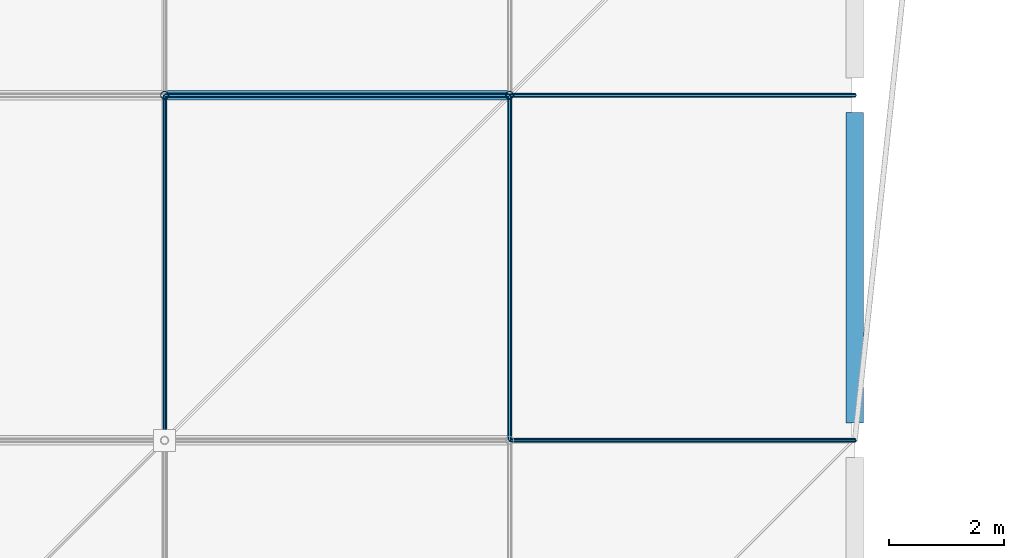
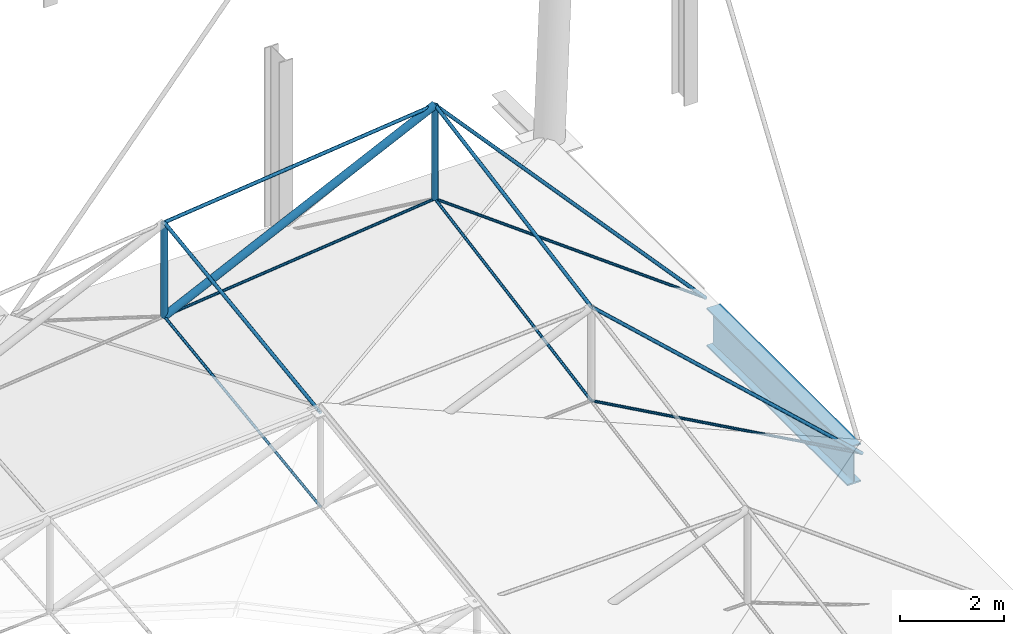
# One storey, part 42 of 132: 13 members, 1 beam.
"""IFC4 building model written with IfcOpenShell, lengths in metres."""

from ifc_helpers import new_model, si_unit, direction, frame, origin, origin_2d, place, context, subcontext, project, spatial, circle, hollow_circle, i_section, extrude, material, material_profile, profile_set, type_object, element, save


model = new_model("IFC4")

# Units and contexts
model_context = context("Model", 3, precision=1e-05, world=origin(), true_north=direction((0.0, 1.0)))
body_context = subcontext(model_context, "Body", "Model", "MODEL_VIEW")
ifc_project = project(units=[si_unit("LENGTHUNIT", "METRE"), si_unit("AREAUNIT", "SQUARE_METRE"), si_unit("VOLUMEUNIT", "CUBIC_METRE"), si_unit("PLANEANGLEUNIT", "RADIAN"), si_unit("MASSUNIT", "GRAM", prefix="KILO")], contexts=[model_context])

# Site, building, storey
site_placement = place(None, origin())
site = spatial("IfcSite", under=ifc_project, at=site_placement, CompositionType="ELEMENT")
building_placement = place(site_placement, origin())
building = spatial("IfcBuilding", under=site, at=building_placement, Name="Deido Ridge Mobility Hub", CompositionType="ELEMENT")
storey_placement = place(building_placement, frame((0.0, 0.0, 8.39990234375)))
storey = spatial("IfcBuildingStorey", under=building, at=storey_placement, Name="L02", CompositionType="ELEMENT", Elevation=8.39990234375)

# Beam
ifc_material_1 = material(Name="Steel S355J2 EN 10025-2", Category="steel")
ifc_material_profile_1 = material_profile(ifc_material_1, i_section(OverallWidth=0.300048828125, OverallDepth=0.89990234375, WebThickness=0.0185546875, FlangeThickness=0.034912109375, FilletRadius=0.027099609375, at=origin_2d()), Name="HEB 900")
ifc_profile_set_1 = profile_set([ifc_material_profile_1], Name="Steel S355J2 EN 10025-2")
beam_type = type_object("IfcBeamType", Name="BM-RING-HEB900", PredefinedType="USERDEFINED", material=ifc_profile_set_1)
beam_placement = place(storey_placement, frame((60.0, 24.300048828125, -0.449951171875), z_axis=(0.0, 1.0, 0.0), x_axis=(-1.0, 0.0, 0.0)))
element("IfcBeam", 1, at=beam_placement, inside=storey, type_object=beam_type, Name="Compression ring beam RB1", ObjectType="RING BEAM", PredefinedType="USERDEFINED", context=body_context, shape_type="SweptSolid", body=[
    extrude(i_section(OverallWidth=0.300048828125, OverallDepth=0.89990234375, WebThickness=0.0185546875, FlangeThickness=0.034912109375, FilletRadius=0.027099609375, at=origin_2d()), origin(), (0.0, 0.0, 1.0), 5.39990234375),
])

# Members
ifc_material_2 = material(Name="Steel S460M EN 10025-4", Category="steel")
ifc_material_profile_2 = material_profile(ifc_material_2, circle(Radius=0.030029296875, at=origin_2d()), Name="CABLE D60")
ifc_profile_set_2 = profile_set([ifc_material_profile_2], Name="Steel S460M EN 10025-4")
member_type_1 = type_object("IfcMemberType", Name="MEM-CBL-D60", PredefinedType="USERDEFINED", material=ifc_profile_set_2)
member_1_placement = place(storey_placement, frame((54.0, 24.0, 3.33349609375), z_axis=(0.874147209196, 0.0, -0.485661051203), x_axis=(0.0, 1.0, 0.0)))
element("IfcMember", 2, at=member_1_placement, inside=storey, type_object=member_type_1, Name="Saddle lower stabilizing cable CB3", ObjectType="TENSION CABLE", PredefinedType="USERDEFINED", context=body_context, shape_type="SweptSolid", body=[
    extrude(circle(Radius=0.030029296875, at=origin_2d()), origin(), (0.0, 0.0, 1.0), 6.86376953125),
])
member_2_placement = place(storey_placement, frame((48.0, 30.0, 3.77001953125), z_axis=(0.994062945023, 0.0, 0.108806531661), x_axis=(0.0, 1.0, 0.0)))
element("IfcMember", 3, at=member_2_placement, inside=storey, type_object=member_type_1, Name="Saddle lower stabilizing cable CB3", ObjectType="TENSION CABLE", PredefinedType="USERDEFINED", context=body_context, shape_type="SweptSolid", body=[
    extrude(circle(Radius=0.030029296875, at=origin_2d()), origin(), (0.0, 0.0, 1.0), 6.035888671875),
])
member_3_placement = place(storey_placement, frame((54.0, 30.0, 4.4267578125), z_axis=(0.804690280558, 0.0, -0.593694831017), x_axis=(0.0, 1.0, 0.0)))
element("IfcMember", 4, at=member_3_placement, inside=storey, type_object=member_type_1, Name="Saddle lower stabilizing cable CB3", ObjectType="TENSION CABLE", PredefinedType="USERDEFINED", context=body_context, shape_type="SweptSolid", body=[
    extrude(circle(Radius=0.030029296875, at=origin_2d()), origin(), (0.0, 0.0, 1.0), 7.456298828125),
])
member_4_placement = place(storey_placement, frame((48.0, 24.0, 2.9501953125), z_axis=(0.0, 0.990793823782, 0.135379462087), x_axis=(-1.0, 0.0, 0.0)))
element("IfcMember", 5, at=member_4_placement, inside=storey, type_object=member_type_1, Name="Saddle transverse valley cable CB3", ObjectType="TENSION CABLE", PredefinedType="USERDEFINED", context=body_context, shape_type="SweptSolid", body=[
    extrude(circle(Radius=0.030029296875, at=origin_2d()), origin(), (0.0, 0.0, 1.0), 6.0556640625),
])
member_5_placement = place(storey_placement, frame((54.0, 24.0, 3.33349609375), z_axis=(0.0, 0.983801946657, 0.179258834519), x_axis=(-1.0, 0.0, 0.0)))
element("IfcMember", 6, at=member_5_placement, inside=storey, type_object=member_type_1, Name="Saddle transverse valley cable CB3", ObjectType="TENSION CABLE", PredefinedType="USERDEFINED", context=body_context, shape_type="SweptSolid", body=[
    extrude(circle(Radius=0.030029296875, at=origin_2d()), origin(), (0.0, 0.0, 1.0), 6.098876953125),
])
ifc_material_profile_3 = material_profile(ifc_material_2, circle(Radius=0.0380859375, at=origin_2d()), Name="CABLE D76")
ifc_profile_set_3 = profile_set([ifc_material_profile_3], Name="Steel S460M EN 10025-4")
member_type_2 = type_object("IfcMemberType", Name="MEM-CBL-D76", PredefinedType="USERDEFINED", material=ifc_profile_set_3)
member_6_placement = place(storey_placement, frame((54.0, 24.0, 5.533447265625), z_axis=(0.735109558376, 0.0, -0.677948329288), x_axis=(0.0, 1.0, 0.0)))
element("IfcMember", 7, at=member_6_placement, inside=storey, type_object=member_type_2, Name="Saddle upper longitudinal cable CB2", ObjectType="TENSION CABLE", PredefinedType="USERDEFINED", context=body_context, shape_type="SweptSolid", body=[
    extrude(circle(Radius=0.0380859375, at=origin_2d()), origin(), (0.0, 0.0, 1.0), 8.162109375),
])
member_7_placement = place(storey_placement, frame((48.0, 30.0, 5.97021484375), z_axis=(0.994067319173, 0.0, 0.108766561737), x_axis=(0.0, 1.0, 0.0)))
element("IfcMember", 8, at=member_7_placement, inside=storey, type_object=member_type_2, Name="Saddle upper longitudinal cable CB2", ObjectType="TENSION CABLE", PredefinedType="USERDEFINED", context=body_context, shape_type="SweptSolid", body=[
    extrude(circle(Radius=0.0380859375, at=origin_2d()), origin(), (0.0, 0.0, 1.0), 6.035888671875),
])
member_8_placement = place(storey_placement, frame((54.0, 30.0, 6.626708984375), z_axis=(0.671184307513, 0.0, -0.741290513462), x_axis=(0.0, 1.0, 0.0)))
element("IfcMember", 9, at=member_8_placement, inside=storey, type_object=member_type_2, Name="Saddle upper longitudinal cable CB2", ObjectType="TENSION CABLE", PredefinedType="USERDEFINED", context=body_context, shape_type="SweptSolid", body=[
    extrude(circle(Radius=0.0380859375, at=origin_2d()), origin(), (0.0, 0.0, 1.0), 8.939453125),
])
member_9_placement = place(storey_placement, frame((48.0, 24.0, 5.150146484375), z_axis=(0.0, 0.990788415376, 0.135419038381), x_axis=(-1.0, 0.0, 0.0)))
element("IfcMember", 10, at=member_9_placement, inside=storey, type_object=member_type_2, Name="Saddle transverse ridge cable CB2", ObjectType="TENSION CABLE", PredefinedType="USERDEFINED", context=body_context, shape_type="SweptSolid", body=[
    extrude(circle(Radius=0.0380859375, at=origin_2d()), origin(), (0.0, 0.0, 1.0), 6.0556640625),
])
member_10_placement = place(storey_placement, frame((54.0, 24.0, 5.533447265625), z_axis=(0.0, 0.983801946657, 0.179258834519), x_axis=(-1.0, 0.0, 0.0)))
element("IfcMember", 11, at=member_10_placement, inside=storey, type_object=member_type_2, Name="Saddle transverse ridge cable CB2", ObjectType="TENSION CABLE", PredefinedType="USERDEFINED", context=body_context, shape_type="SweptSolid", body=[
    extrude(circle(Radius=0.0380859375, at=origin_2d()), origin(), (0.0, 0.0, 1.0), 6.098876953125),
])
ifc_material_3 = material(Name="Steel S355J2H EN 10210-1", Category="steel")
ifc_material_profile_4 = material_profile(ifc_material_3, hollow_circle(Radius=0.06982421875, WallThickness=0.00634765625, at=origin_2d()), Name="CHS 139.7x6.3")
ifc_profile_set_4 = profile_set([ifc_material_profile_4], Name="Steel S355J2H EN 10210-1")
member_type_3 = type_object("IfcMemberType", Name="MEM-STR-CHS140", PredefinedType="STRUT", material=ifc_profile_set_4)
member_11_placement = place(storey_placement, frame((48.0, 30.0, 3.77001953125), z_axis=(0.0, 0.0, 1.0), x_axis=(1.0, 0.0, 0.0)))
element("IfcMember", 12, at=member_11_placement, inside=storey, type_object=member_type_3, Name="Cable-net vertical spreader strut SR2", PredefinedType="STRUT", context=body_context, shape_type="SweptSolid", body=[
    extrude(hollow_circle(Radius=0.06982421875, WallThickness=0.00634765625, at=origin_2d()), origin(), (0.0, 0.0, 1.0), 2.2001953125),
])
member_12_placement = place(storey_placement, frame((54.0, 30.0, 4.4267578125), z_axis=(0.0, 0.0, 1.0), x_axis=(1.0, 0.0, 0.0)))
element("IfcMember", 13, at=member_12_placement, inside=storey, type_object=member_type_3, Name="Cable-net vertical spreader strut SR2", PredefinedType="STRUT", context=body_context, shape_type="SweptSolid", body=[
    extrude(hollow_circle(Radius=0.06982421875, WallThickness=0.00634765625, at=origin_2d()), origin(), (0.0, 0.0, 1.0), 2.199951171875),
])
ifc_material_profile_5 = material_profile(ifc_material_3, hollow_circle(Radius=0.084228515625, WallThickness=0.008056640625, at=origin_2d()), Name="CHS 168.3x8")
ifc_profile_set_5 = profile_set([ifc_material_profile_5], Name="Steel S355J2H EN 10210-1")
member_type_4 = type_object("IfcMemberType", Name="MEM-STR-CHS168", PredefinedType="STRUT", material=ifc_profile_set_5)
member_13_placement = place(storey_placement, frame((48.0, 30.0, 3.77001953125), z_axis=(0.902887001475, 0.0, 0.429877962413), x_axis=(0.0, 1.0, 0.0)))
element("IfcMember", 14, at=member_13_placement, inside=storey, type_object=member_type_4, Name="Saddle diagonal web strut SR1", PredefinedType="STRUT", context=body_context, shape_type="SweptSolid", body=[
    extrude(hollow_circle(Radius=0.084228515625, WallThickness=0.008056640625, at=origin_2d()), origin(), (0.0, 0.0, 1.0), 6.645263671875),
])

save(model, "model.ifc")
